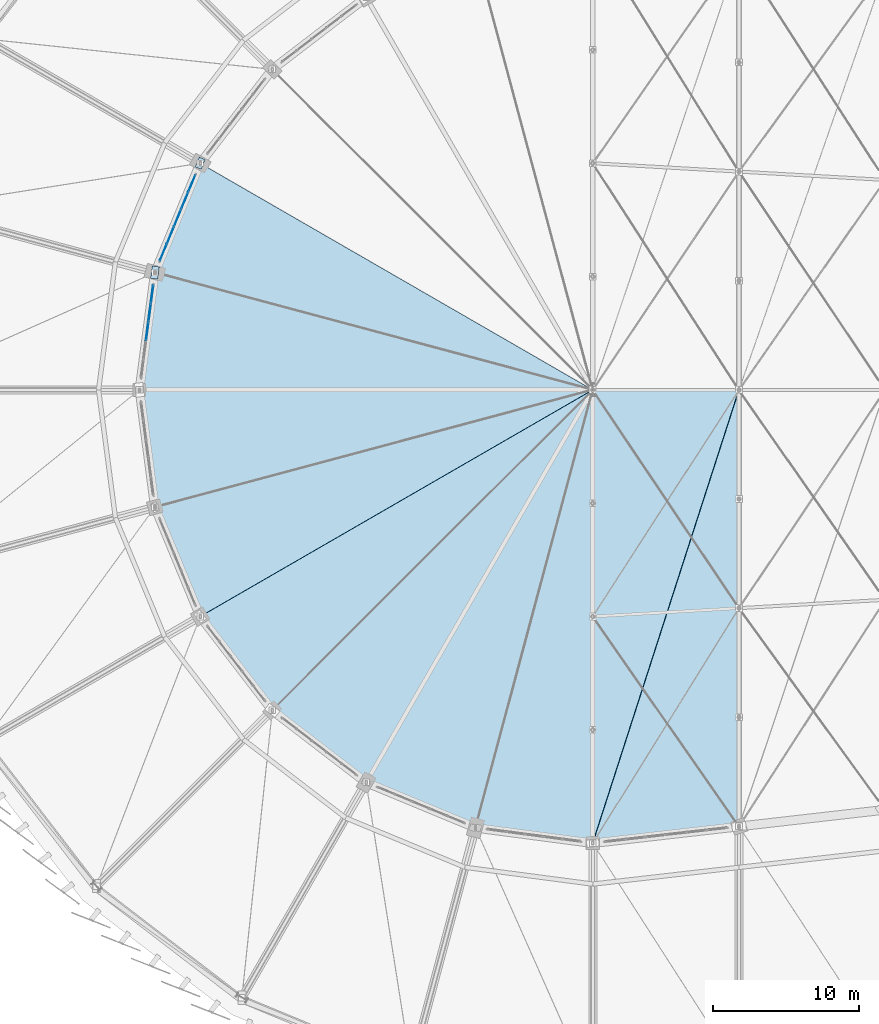
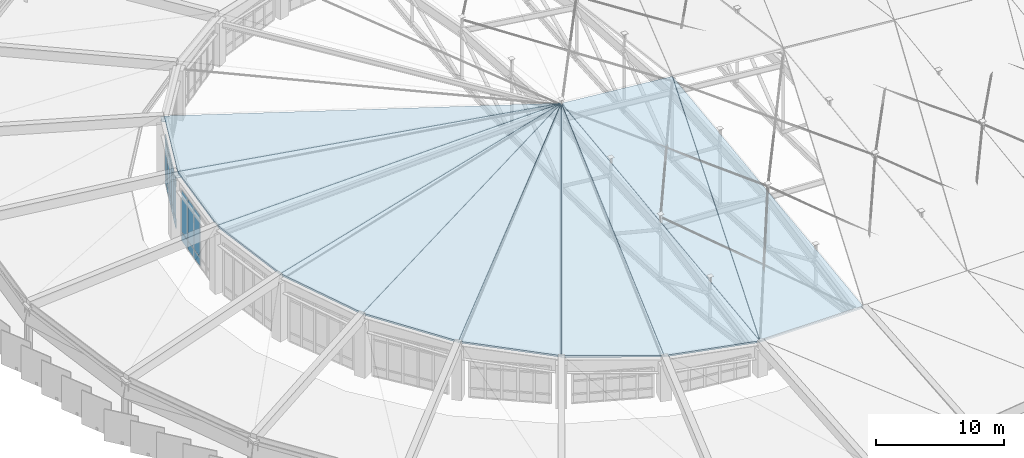
# One storey, part 55 of 68: 26 plates, 10 slabs, 2 elements without a shape of their own.
"""IFC4 building model written with IfcOpenShell, lengths in metres."""

from ifc_helpers import new_model, si_unit, direction, frame, origin, origin_2d, place, context, subcontext, project, spatial, polyline, rectangle, outline, extrude, material, layer, layer_set, type_object, element, aggregate, save


model = new_model("IFC4")

# Units and contexts
model_context = context("Model", 3, precision=1e-05, world=origin(), true_north=direction((0.0, 1.0)))
body_context = subcontext(model_context, "Body", "Model", "MODEL_VIEW")
ifc_project = project(units=[si_unit("LENGTHUNIT", "METRE"), si_unit("AREAUNIT", "SQUARE_METRE"), si_unit("VOLUMEUNIT", "CUBIC_METRE"), si_unit("PLANEANGLEUNIT", "RADIAN"), si_unit("MASSUNIT", "GRAM", prefix="KILO")], contexts=[model_context])

# Site, building, storey
site_placement = place(None, origin())
site = spatial("IfcSite", under=ifc_project, at=site_placement, CompositionType="ELEMENT")
building_placement = place(site_placement, origin())
building = spatial("IfcBuilding", under=site, at=building_placement, Name="Sohan Crest Arena", CompositionType="ELEMENT")
storey_placement = place(building_placement, frame((0.0, 0.0, 27.0)))
storey = spatial("IfcBuildingStorey", under=building, at=storey_placement, Name="RF", CompositionType="ELEMENT", Elevation=27.0)

# Curtain wall, plates
ifc_material_1 = material(Name="Thermally broken anodised aluminium", Category="aluminium")
ifc_layer_1 = layer(ifc_material_1, 0.18994140625, Name="Thermally broken anodised aluminium")
ifc_layer_set_1 = layer_set([ifc_layer_1], Name="Thermally broken anodised aluminium")
curtain_wall_type = type_object("IfcCurtainWallType", Name="ARC-CW05", PredefinedType="NOTDEFINED", material=ifc_layer_set_1)
curtain_wall_1_placement = place(storey_placement, origin())
curtain_wall_1 = element("IfcCurtainWall", 1, at=curtain_wall_1_placement, inside=storey, type_object=curtain_wall_type, Name="Unitised curtain wall CW-173", PredefinedType="NOTDEFINED")
ifc_material_2 = material(Name="Ceramic-fritted solar-control insulated glass", Category="glass")
ifc_layer_2 = layer(ifc_material_2, 0.035888671875, Name="Ceramic-fritted solar-control insulated glass")
ifc_layer_set_2 = layer_set([ifc_layer_2], Name="Ceramic-fritted solar-control insulated glass")
plate_type_1 = type_object("IfcPlateType", Name="ARC-CNP03", PredefinedType="CURTAIN_PANEL", material=ifc_layer_set_2)
plate_1_placement = place(storey_placement, frame((70.58544921875, 92.129638671875, 0.06494140625), z_axis=(0.0, 0.0, 1.0), x_axis=(-0.382666625357, -0.923886494023, 0.0)))
plate_1 = element("IfcPlate", 2, at=plate_1_placement, type_object=plate_type_1, Name="CW-173 panel 1.1", PredefinedType="CURTAIN_PANEL", context=body_context, shape_type="SweptSolid", body=[
    extrude(rectangle(XDim=1.185302734375, YDim=0.035888671875, at=origin_2d()), origin(), (0.0, 0.0, 1.0), 0.802490234375),
])
plate_2_placement = place(storey_placement, frame((70.58544921875, 92.129638671875, 0.9326171875), z_axis=(0.0, 0.0, 1.0), x_axis=(-0.382666625357, -0.923886494023, 0.0)))
plate_2 = element("IfcPlate", 3, at=plate_2_placement, type_object=plate_type_1, Name="CW-173 panel 1.2", PredefinedType="CURTAIN_PANEL", context=body_context, shape_type="SweptSolid", body=[
    extrude(rectangle(XDim=1.185302734375, YDim=0.035888671875, at=origin_2d()), origin(), (0.0, 0.0, 1.0), 3.02099609375),
])
plate_3_placement = place(storey_placement, frame((70.58544921875, 92.129638671875, 4.0185546875), z_axis=(0.0, 0.0, 1.0), x_axis=(-0.382666625357, -0.923886494023, 0.0)))
plate_3 = element("IfcPlate", 4, at=plate_3_placement, type_object=plate_type_1, Name="CW-173 panel 1.3", PredefinedType="CURTAIN_PANEL", context=body_context, shape_type="SweptSolid", body=[
    extrude(rectangle(XDim=1.185302734375, YDim=0.035888671875, at=origin_2d()), origin(), (0.0, 0.0, 1.0), 0.6025390625),
])
plate_4_placement = place(storey_placement, frame((70.098388671875, 90.95361328125, 0.06494140625), z_axis=(0.0, 0.0, 1.0), x_axis=(-0.382666625357, -0.923886494023, 0.0)))
plate_4 = element("IfcPlate", 5, at=plate_4_placement, type_object=plate_type_1, Name="CW-173 panel 2.1", PredefinedType="CURTAIN_PANEL", context=body_context, shape_type="SweptSolid", body=[
    extrude(rectangle(XDim=1.220458984375, YDim=0.035888671875, at=origin_2d()), origin(), (0.0, 0.0, 1.0), 0.802490234375),
])
plate_5_placement = place(storey_placement, frame((70.098388671875, 90.95361328125, 0.9326171875), z_axis=(0.0, 0.0, 1.0), x_axis=(-0.382666625357, -0.923886494023, 0.0)))
plate_5 = element("IfcPlate", 6, at=plate_5_placement, type_object=plate_type_1, Name="CW-173 panel 2.2", PredefinedType="CURTAIN_PANEL", context=body_context, shape_type="SweptSolid", body=[
    extrude(rectangle(XDim=1.220458984375, YDim=0.035888671875, at=origin_2d()), origin(), (0.0, 0.0, 1.0), 3.02099609375),
])
plate_6_placement = place(storey_placement, frame((70.098388671875, 90.95361328125, 4.0185546875), z_axis=(0.0, 0.0, 1.0), x_axis=(-0.382666625357, -0.923886494023, 0.0)))
plate_6 = element("IfcPlate", 7, at=plate_6_placement, type_object=plate_type_1, Name="CW-173 panel 2.3", PredefinedType="CURTAIN_PANEL", context=body_context, shape_type="SweptSolid", body=[
    extrude(rectangle(XDim=1.220458984375, YDim=0.035888671875, at=origin_2d()), origin(), (0.0, 0.0, 1.0), 0.6025390625),
])
plate_7_placement = place(storey_placement, frame((69.6044921875, 89.761474609375, 0.06494140625), z_axis=(0.0, 0.0, 1.0), x_axis=(-0.382666625357, -0.923886494023, 0.0)))
plate_7 = element("IfcPlate", 8, at=plate_7_placement, type_object=plate_type_1, Name="CW-173 panel 3.1", PredefinedType="CURTAIN_PANEL", context=body_context, shape_type="SweptSolid", body=[
    extrude(rectangle(XDim=1.220458984375, YDim=0.035888671875, at=origin_2d()), origin(), (0.0, 0.0, 1.0), 0.802490234375),
])
plate_8_placement = place(storey_placement, frame((69.6044921875, 89.761474609375, 0.9326171875), z_axis=(0.0, 0.0, 1.0), x_axis=(-0.382666625357, -0.923886494023, 0.0)))
plate_8 = element("IfcPlate", 9, at=plate_8_placement, type_object=plate_type_1, Name="CW-173 panel 3.2", PredefinedType="CURTAIN_PANEL", context=body_context, shape_type="SweptSolid", body=[
    extrude(rectangle(XDim=1.220458984375, YDim=0.035888671875, at=origin_2d()), origin(), (0.0, 0.0, 1.0), 3.02099609375),
])
plate_9_placement = place(storey_placement, frame((69.6044921875, 89.761474609375, 4.0185546875), z_axis=(0.0, 0.0, 1.0), x_axis=(-0.382666625357, -0.923886494023, 0.0)))
plate_9 = element("IfcPlate", 10, at=plate_9_placement, type_object=plate_type_1, Name="CW-173 panel 3.3", PredefinedType="CURTAIN_PANEL", context=body_context, shape_type="SweptSolid", body=[
    extrude(rectangle(XDim=1.220458984375, YDim=0.035888671875, at=origin_2d()), origin(), (0.0, 0.0, 1.0), 0.6025390625),
])
plate_10_placement = place(storey_placement, frame((69.110595703125, 88.5693359375, 0.06494140625), z_axis=(0.0, 0.0, 1.0), x_axis=(-0.382666625357, -0.923886494023, 0.0)))
plate_10 = element("IfcPlate", 11, at=plate_10_placement, type_object=plate_type_1, Name="CW-173 panel 4.1", PredefinedType="CURTAIN_PANEL", context=body_context, shape_type="SweptSolid", body=[
    extrude(rectangle(XDim=1.220458984375, YDim=0.035888671875, at=origin_2d()), origin(), (0.0, 0.0, 1.0), 0.802490234375),
])
plate_11_placement = place(storey_placement, frame((69.110595703125, 88.5693359375, 0.9326171875), z_axis=(0.0, 0.0, 1.0), x_axis=(-0.382666625357, -0.923886494023, 0.0)))
plate_11 = element("IfcPlate", 12, at=plate_11_placement, type_object=plate_type_1, Name="CW-173 panel 4.2", PredefinedType="CURTAIN_PANEL", context=body_context, shape_type="SweptSolid", body=[
    extrude(rectangle(XDim=1.220458984375, YDim=0.035888671875, at=origin_2d()), origin(), (0.0, 0.0, 1.0), 3.02099609375),
])
plate_12_placement = place(storey_placement, frame((69.110595703125, 88.5693359375, 4.0185546875), z_axis=(0.0, 0.0, 1.0), x_axis=(-0.382666625357, -0.923886494023, 0.0)))
plate_12 = element("IfcPlate", 13, at=plate_12_placement, type_object=plate_type_1, Name="CW-173 panel 4.3", PredefinedType="CURTAIN_PANEL", context=body_context, shape_type="SweptSolid", body=[
    extrude(rectangle(XDim=1.220458984375, YDim=0.035888671875, at=origin_2d()), origin(), (0.0, 0.0, 1.0), 0.6025390625),
])
plate_13_placement = place(storey_placement, frame((68.62353515625, 87.393310546875, 0.06494140625), z_axis=(0.0, 0.0, 1.0), x_axis=(-0.382666625357, -0.923886494023, 0.0)))
plate_13 = element("IfcPlate", 14, at=plate_13_placement, type_object=plate_type_1, Name="CW-173 panel 5.1", PredefinedType="CURTAIN_PANEL", context=body_context, shape_type="SweptSolid", body=[
    extrude(rectangle(XDim=1.185302734375, YDim=0.035888671875, at=origin_2d()), origin(), (0.0, 0.0, 1.0), 0.802490234375),
])
plate_14_placement = place(storey_placement, frame((68.62353515625, 87.393310546875, 0.9326171875), z_axis=(0.0, 0.0, 1.0), x_axis=(-0.382666625357, -0.923886494023, 0.0)))
plate_14 = element("IfcPlate", 15, at=plate_14_placement, type_object=plate_type_1, Name="CW-173 panel 5.2", PredefinedType="CURTAIN_PANEL", context=body_context, shape_type="SweptSolid", body=[
    extrude(rectangle(XDim=1.185302734375, YDim=0.035888671875, at=origin_2d()), origin(), (0.0, 0.0, 1.0), 3.02099609375),
])
plate_15_placement = place(storey_placement, frame((68.62353515625, 87.393310546875, 4.0185546875), z_axis=(0.0, 0.0, 1.0), x_axis=(-0.382666625357, -0.923886494023, 0.0)))
plate_15 = element("IfcPlate", 16, at=plate_15_placement, type_object=plate_type_1, Name="CW-173 panel 5.3", PredefinedType="CURTAIN_PANEL", context=body_context, shape_type="SweptSolid", body=[
    extrude(rectangle(XDim=1.185302734375, YDim=0.035888671875, at=origin_2d()), origin(), (0.0, 0.0, 1.0), 0.6025390625),
])
aggregate(curtain_wall_1, [plate_1, plate_2, plate_3, plate_4, plate_5, plate_6, plate_7, plate_8, plate_9, plate_10, plate_11, plate_12, plate_13, plate_14, plate_15])

curtain_wall_2_placement = place(storey_placement, origin())
curtain_wall_2 = element("IfcCurtainWall", 17, at=curtain_wall_2_placement, inside=storey, type_object=curtain_wall_type, Name="Unitised curtain wall CW-175", PredefinedType="NOTDEFINED")
plate_16_placement = place(storey_placement, frame((67.862548828125, 84.552978515625, 0.06494140625), z_axis=(0.0, 0.0, 1.0), x_axis=(-0.130498613419, -0.991448491802, 0.0)))
plate_16 = element("IfcPlate", 18, at=plate_16_placement, type_object=plate_type_1, Name="CW-175 panel 1.1", PredefinedType="CURTAIN_PANEL", context=body_context, shape_type="SweptSolid", body=[
    extrude(rectangle(XDim=1.185546875, YDim=0.035888671875, at=origin_2d()), origin(), (0.0, 0.0, 1.0), 0.802490234375),
])
plate_17_placement = place(storey_placement, frame((67.862548828125, 84.552978515625, 0.9326171875), z_axis=(0.0, 0.0, 1.0), x_axis=(-0.130498613419, -0.991448491802, 0.0)))
plate_17 = element("IfcPlate", 19, at=plate_17_placement, type_object=plate_type_1, Name="CW-175 panel 1.2", PredefinedType="CURTAIN_PANEL", context=body_context, shape_type="SweptSolid", body=[
    extrude(rectangle(XDim=1.185546875, YDim=0.035888671875, at=origin_2d()), origin(), (0.0, 0.0, 1.0), 3.31494140625),
])
plate_18_placement = place(storey_placement, frame((67.862548828125, 84.552978515625, 4.3125), z_axis=(0.0, 0.0, 1.0), x_axis=(-0.130498613419, -0.991448491802, 0.0)))
plate_18 = element("IfcPlate", 20, at=plate_18_placement, type_object=plate_type_1, Name="CW-175 panel 1.3", PredefinedType="CURTAIN_PANEL", context=body_context, shape_type="SweptSolid", body=[
    extrude(rectangle(XDim=1.185546875, YDim=0.035888671875, at=origin_2d()), origin(), (0.0, 0.0, 1.0), 0.6025390625),
])
plate_19_placement = place(storey_placement, frame((67.6962890625, 83.291015625, 0.06494140625), z_axis=(0.0, 0.0, 1.0), x_axis=(-0.130498613419, -0.991448491802, 0.0)))
plate_19 = element("IfcPlate", 21, at=plate_19_placement, type_object=plate_type_1, Name="CW-175 panel 2.1", PredefinedType="CURTAIN_PANEL", context=body_context, shape_type="SweptSolid", body=[
    extrude(rectangle(XDim=1.220458984375, YDim=0.035888671875, at=origin_2d()), origin(), (0.0, 0.0, 1.0), 0.802490234375),
])
plate_20_placement = place(storey_placement, frame((67.6962890625, 83.291015625, 0.9326171875), z_axis=(0.0, 0.0, 1.0), x_axis=(-0.130498613419, -0.991448491802, 0.0)))
plate_20 = element("IfcPlate", 22, at=plate_20_placement, type_object=plate_type_1, Name="CW-175 panel 2.2", PredefinedType="CURTAIN_PANEL", context=body_context, shape_type="SweptSolid", body=[
    extrude(rectangle(XDim=1.220458984375, YDim=0.035888671875, at=origin_2d()), origin(), (0.0, 0.0, 1.0), 3.31494140625),
])
plate_21_placement = place(storey_placement, frame((67.6962890625, 83.291015625, 4.3125), z_axis=(0.0, 0.0, 1.0), x_axis=(-0.130498613419, -0.991448491802, 0.0)))
plate_21 = element("IfcPlate", 23, at=plate_21_placement, type_object=plate_type_1, Name="CW-175 panel 2.3", PredefinedType="CURTAIN_PANEL", context=body_context, shape_type="SweptSolid", body=[
    extrude(rectangle(XDim=1.220458984375, YDim=0.035888671875, at=origin_2d()), origin(), (0.0, 0.0, 1.0), 0.6025390625),
])
plate_22_placement = place(storey_placement, frame((67.528076171875, 82.011474609375, 0.06494140625), z_axis=(0.0, 0.0, 1.0), x_axis=(-0.130498613419, -0.991448491802, 0.0)))
plate_22 = element("IfcPlate", 24, at=plate_22_placement, type_object=plate_type_1, Name="CW-175 panel 3.1", PredefinedType="CURTAIN_PANEL", context=body_context, shape_type="SweptSolid", body=[
    extrude(rectangle(XDim=1.220458984375, YDim=0.035888671875, at=origin_2d()), origin(), (0.0, 0.0, 1.0), 0.802490234375),
])
plate_23_placement = place(storey_placement, frame((67.528076171875, 82.011474609375, 0.9326171875), z_axis=(0.0, 0.0, 1.0), x_axis=(-0.130498613419, -0.991448491802, 0.0)))
plate_23 = element("IfcPlate", 25, at=plate_23_placement, type_object=plate_type_1, Name="CW-175 panel 3.2", PredefinedType="CURTAIN_PANEL", context=body_context, shape_type="SweptSolid", body=[
    extrude(rectangle(XDim=1.220458984375, YDim=0.035888671875, at=origin_2d()), origin(), (0.0, 0.0, 1.0), 3.31494140625),
])
plate_24_placement = place(storey_placement, frame((67.528076171875, 82.011474609375, 4.3125), z_axis=(0.0, 0.0, 1.0), x_axis=(-0.130498613419, -0.991448491802, 0.0)))
plate_24 = element("IfcPlate", 26, at=plate_24_placement, type_object=plate_type_1, Name="CW-175 panel 3.3", PredefinedType="CURTAIN_PANEL", context=body_context, shape_type="SweptSolid", body=[
    extrude(rectangle(XDim=1.220458984375, YDim=0.035888671875, at=origin_2d()), origin(), (0.0, 0.0, 1.0), 0.6025390625),
])
aggregate(curtain_wall_2, [plate_16, plate_17, plate_18, plate_19, plate_20, plate_21, plate_22, plate_23, plate_24])

# Slabs
ifc_material_3 = material(Name="Concrete C40/50", Category="concrete")
ifc_layer_3 = layer(ifc_material_3, 0.175048828125, Name="Concrete C40/50")
ifc_layer_set_3 = layer_set([ifc_layer_3], Name="Concrete C40/50")
slab_type = type_object("IfcSlabType", Name="SL-RF01", PredefinedType="ROOF", material=ifc_layer_set_3)
slab_1_placement = place(storey_placement, frame((71.1689453125, 93.485107421875, 5.77001953125), z_axis=(-0.016969693646, 0.049177375769, 0.998645890799), x_axis=(-0.38240734973, -0.923171996249, 0.038962600202)))
element("IfcSlab", 27, at=slab_1_placement, inside=storey, type_object=slab_type, Name="Sloped roof deck panel RF-SL-005", PredefinedType="ROOF", context=body_context, shape_type="SweptSolid", body=[
    extrude(outline(polyline([(0.0, 0.0), (8.083172186166111, 3.937822290467352e-16), (4.082133112188317, 30.69153518886366), (0.0, 0.0)])), origin(), (0.0, 0.0, -1.0), 0.175048828125),
])
slab_2_placement = place(storey_placement, frame((68.074951171875, 86.011962890625, 6.0849609375), z_axis=(-0.025650373826, 0.016877268894, 0.999528496901), x_axis=(-0.130490512806, -0.991359126362, 0.01339061783)))
element("IfcSlab", 28, at=slab_2_placement, inside=storey, type_object=slab_type, Name="Sloped roof deck panel RF-SL-006", PredefinedType="ROOF", context=body_context, shape_type="SweptSolid", body=[
    extrude(outline(polyline([(0.0, 0.0), (8.07687130243786, -9.194034422677078e-17), (4.0503887646823635, 30.68512516551225), (0.0, 0.0)])), origin(), (0.0, 0.0, -1.0), 0.175048828125),
])
slab_3_placement = place(storey_placement, frame((67.02099609375, 77.9951171875, 6.193115234375), z_axis=(-0.025650373826, -0.016877268894, 0.999528496901), x_axis=(0.130490512806, -0.991359126362, -0.01339061783)))
element("IfcSlab", 29, at=slab_3_placement, inside=storey, type_object=slab_type, Name="Sloped roof deck panel RF-SL-007", PredefinedType="ROOF", context=body_context, shape_type="SweptSolid", body=[
    extrude(outline(polyline([(0.0, 0.0), (8.07687130243786, 9.194034422677078e-17), (4.026482537755498, 30.685125165512254), (0.0, 0.0)])), origin(), (0.0, 0.0, -1.0), 0.175048828125),
])
slab_4_placement = place(storey_placement, frame((68.077880859375, 69.97705078125, 6.0849609375), z_axis=(-0.016969693646, -0.049177375769, 0.998645890799), x_axis=(0.38240734973, -0.923171996249, -0.038962600202)))
element("IfcSlab", 30, at=slab_4_placement, inside=storey, type_object=slab_type, Name="Sloped roof deck panel RF-SL-008", PredefinedType="ROOF", context=body_context, shape_type="SweptSolid", body=[
    extrude(outline(polyline([(0.0, 0.0), (8.083172186166111, -3.937822290467352e-16), (4.001039073977794, 30.69153518886366), (0.0, 0.0)])), origin(), (0.0, 0.0, -1.0), 0.175048828125),
])
slab_5_placement = place(storey_placement, frame((71.174072265625, 62.506103515625, 5.77001953125), z_axis=(-0.000436193293, -0.077682893995, 0.996978022685), x_axis=(0.607669380732, -0.791810703006, -0.061430727863)))
element("IfcSlab", 31, at=slab_5_placement, inside=storey, type_object=slab_type, Name="Sloped roof deck panel RF-SL-009", PredefinedType="ROOF", context=body_context, shape_type="SweptSolid", body=[
    extrude(outline(polyline([(0.0, 0.0), (8.091558244350722, 6.661338147750939e-16), (3.9579878875626515, 30.70779176164884), (0.0, 0.0)])), origin(), (0.0, 0.0, -1.0), 0.175048828125),
])
slab_6_placement = place(storey_placement, frame((76.09912109375, 56.091064453125, 5.27294921875), z_axis=(0.02228020214, -0.100222015913, 0.994715607658), x_axis=(0.790838144781, -0.606922997976, -0.078863827493)))
element("IfcSlab", 32, at=slab_6_placement, inside=storey, type_object=slab_type, Name="Sloped roof deck panel RF-SL-010", PredefinedType="ROOF", context=body_context, shape_type="SweptSolid", body=[
    extrude(outline(polyline([(0.0, 0.0), (8.101509094062253, 1.734723475976807e-16), (3.8881420609062682, 30.73983132818911), (0.0, 0.0)])), origin(), (0.0, 0.0, -1.0), 0.175048828125),
])
slab_7_placement = place(storey_placement, frame((82.514892578125, 51.1689453125, 4.634033203125), z_axis=(0.049193937432, -0.115529716806, 0.992085097688), x_axis=(0.920123355045, -0.381144505095, -0.090010431264)))
element("IfcSlab", 33, at=slab_7_placement, inside=storey, type_object=slab_type, Name="Sloped roof deck panel RF-SL-011", PredefinedType="ROOF", context=body_context, shape_type="SweptSolid", body=[
    extrude(outline(polyline([(0.0, 0.0), (8.109954129746676, 3.3306690738754696e-16), (3.8095929676159965, 30.79247786818549), (0.0, 0.0)])), origin(), (0.0, 0.0, -1.0), 0.175048828125),
])
slab_8_placement = place(storey_placement, frame((89.988037109375, 48.074951171875, 3.904052734375), z_axis=(0.078569357148, -0.123111299512, 0.989277748688), x_axis=(0.987005823883, -0.129917496774, -0.094556584402)))
element("IfcSlab", 34, at=slab_8_placement, inside=storey, type_object=slab_type, Name="Sloped roof deck panel RF-SL-012", PredefinedType="ROOF", context=body_context, shape_type="SweptSolid", body=[
    extrude(outline(polyline([(0.0, 0.0), (8.112495270420572, -1.942890293094024e-16), (3.72905719370331, 30.866937675788467), (0.0, 0.0)])), origin(), (0.0, 0.0, -1.0), 0.175048828125),
])
slab_9_placement = place(storey_placement, frame((98.012939453125, 47.02099609375, 3.136962890625), z_axis=(0.106264528646, -0.12742057051, 0.986139872514), x_axis=(0.989313905925, 0.113118381435, -0.09199036539)))
element("IfcSlab", 35, at=slab_9_placement, inside=storey, type_object=slab_type, Name="Sloped roof deck panel RF-SL-013", PredefinedType="ROOF", context=body_context, shape_type="SweptSolid", body=[
    extrude(outline(polyline([(0.0, 0.0), (10.087779428731487, -2.7755575615628914e-17), (13.104181810361899, 29.892780539795584), (0.0, 0.0)])), origin(), (0.0, 0.0, -1.0), 0.175048828125),
])
slab_10_placement = place(storey_placement, frame((98.007080078125, 47.041015625, 3.136962890625), z_axis=(0.091881929141, -0.122970672887, 0.988147724132), x_axis=(0.305769493607, 0.947886926191, 0.089528721292)))
element("IfcSlab", 36, at=slab_10_placement, inside=storey, type_object=slab_type, Name="Sloped roof deck panel RF-SL-014", PredefinedType="ROOF", context=body_context, shape_type="SweptSolid", body=[
    extrude(outline(polyline([(0.0, 0.0), (32.63890177869655, 5.551115123125783e-17), (29.670408934452812, 9.573359103040415), (0.0, 0.0)])), origin(), (0.0, 0.0, -1.0), 0.175048828125),
])

# Plates
ifc_material_4 = material(Name="Steel S355", Category="steel")
ifc_layer_4 = layer(ifc_material_4, 0.028076171875, Name="Steel S355")
ifc_layer_set_4 = layer_set([ifc_layer_4], Name="Steel S355")
plate_type_2 = type_object("IfcPlateType", Name="STR-PL-GP05", PredefinedType="USERDEFINED", material=ifc_layer_set_4)
plate_25_placement = place(storey_placement, frame((71.153076171875, 93.5, 5.4501953125), z_axis=(0.0, 0.0, 1.0), x_axis=(0.382683432365, 0.923879532511, 0.0)))
element("IfcPlate", 37, at=plate_25_placement, inside=storey, type_object=plate_type_2, Name="Ring beam node gusset plate GP-RB05", ObjectType="GUSSET PLATE", PredefinedType="USERDEFINED", context=body_context, shape_type="SweptSolid", body=[
    extrude(rectangle(XDim=0.719970703125, YDim=0.43994140625, at=origin_2d()), origin(), (0.0, 0.0, 1.0), 0.028076171875),
])
ifc_layer_5 = layer(ifc_material_4, 0.031982421875, Name="Steel S355")
ifc_layer_set_5 = layer_set([ifc_layer_5], Name="Steel S355")
plate_type_3 = type_object("IfcPlateType", Name="STR-PL-GP06", PredefinedType="USERDEFINED", material=ifc_layer_set_5)
plate_26_placement = place(storey_placement, frame((68.055908203125, 86.02294921875, 5.76318359375), z_axis=(0.0, 0.0, 1.0), x_axis=(0.13052619222, 0.991444861374, 0.0)))
element("IfcPlate", 38, at=plate_26_placement, inside=storey, type_object=plate_type_3, Name="Ring beam node gusset plate GP-RB06", ObjectType="GUSSET PLATE", PredefinedType="USERDEFINED", context=body_context, shape_type="SweptSolid", body=[
    extrude(rectangle(XDim=0.840087890625, YDim=0.5, at=origin_2d()), origin(), (0.0, 0.0, 1.0), 0.031982421875),
])

save(model, "model.ifc")
